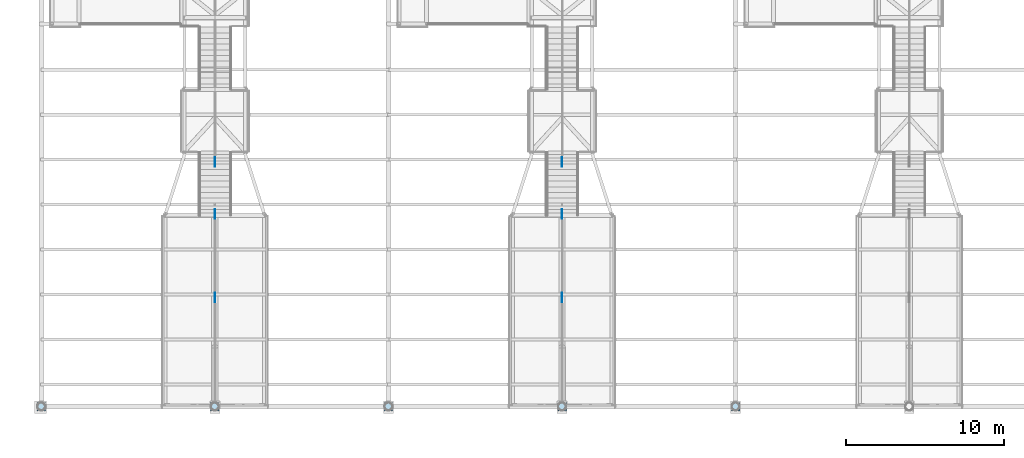
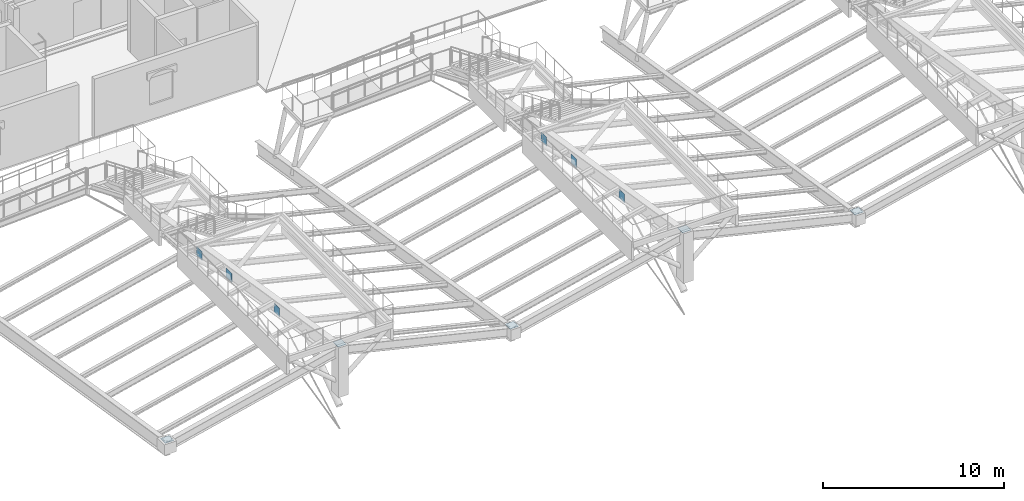
# One storey, part 17 of 43: 11 plates.
"""IFC4 building model written with IfcOpenShell, lengths in metres."""

from ifc_helpers import new_model, si_unit, direction, frame, origin, origin_2d, place, context, subcontext, project, spatial, rectangle, extrude, material, layer, layer_set, type_object, element, save


model = new_model("IFC4")

# Units and contexts
model_context = context("Model", 3, precision=1e-05, world=origin(), true_north=direction((0.0, 1.0)))
body_context = subcontext(model_context, "Body", "Model", "MODEL_VIEW")
ifc_project = project(units=[si_unit("LENGTHUNIT", "METRE"), si_unit("AREAUNIT", "SQUARE_METRE"), si_unit("VOLUMEUNIT", "CUBIC_METRE"), si_unit("PLANEANGLEUNIT", "RADIAN"), si_unit("MASSUNIT", "GRAM", prefix="KILO")], contexts=[model_context])

# Site, building, storey
site_placement = place(None, origin())
site = spatial("IfcSite", under=ifc_project, at=site_placement, CompositionType="ELEMENT")
building_placement = place(site_placement, origin())
building = spatial("IfcBuilding", under=site, at=building_placement, Name="Caurita Quay Ferry Terminal", CompositionType="ELEMENT")
storey_placement = place(building_placement, frame((0.0, 0.0, 14.10009765625)))
storey = spatial("IfcBuildingStorey", under=building, at=storey_placement, Name="L03", CompositionType="ELEMENT", Elevation=14.10009765625)

# Plates
ifc_material = material(Name="Structural plate steel ASTM A572 Gr. 50", Category="steel")
ifc_layer_1 = layer(ifc_material, 0.031982421875, Name="Structural steel connection plate 32 mm")
ifc_layer_set_1 = layer_set([ifc_layer_1], Name="Structural plate steel ASTM A572 Gr. 50")
plate_type_1 = type_object("IfcPlateType", Name="PLT-STL-32", PredefinedType="USERDEFINED", material=ifc_layer_set_1)
for number, where, z_axis, x_axis, name in (
    (1, (0.0, 34.60009765625, 0.65478515625), (0.0, 0.0, 1.0), (1.0, 0.0, 0.0), "Mast Top Cap Plate V1-01-S"),
    (2, (11.0, 34.60009765625, 3.294921875), (0.0, 0.0, 1.0), (1.0, 0.0, 0.0), "Mast Top Cap Plate V1-02-S"),
    (3, (22.0, 34.60009765625, 0.65478515625), (0.0, 0.0, 1.0), (1.0, 0.0, 0.0), "Mast Top Cap Plate V1-03-S"),
    (4, (33.0, 34.60009765625, 3.294921875), (0.0, 0.0, 1.0), (1.0, 0.0, 0.0), "Mast Top Cap Plate V1-04-S"),
    (5, (44.0, 34.60009765625, 0.65478515625), (0.0, 0.0, 1.0), (1.0, 0.0, 0.0), "Mast Top Cap Plate V1-05-S"),
):
    element("IfcPlate", number, at=place(storey_placement, frame(where, z_axis=z_axis, x_axis=x_axis)), inside=storey, type_object=plate_type_1, Name=name, ObjectType="GUSSET PLATE", PredefinedType="USERDEFINED", context=body_context, shape_type="SweptSolid", body=[
        extrude(rectangle(XDim=0.5400390625, YDim=0.5400390625, at=origin_2d()), origin(), (0.0, 0.0, 1.0), 0.031982421875),
    ])
ifc_layer_2 = layer(ifc_material, 0.0400390625, Name="Structural steel connection plate 40 mm")
ifc_layer_set_2 = layer_set([ifc_layer_2], Name="Structural plate steel ASTM A572 Gr. 50")
plate_type_2 = type_object("IfcPlateType", Name="PLT-STL-40", PredefinedType="USERDEFINED", material=ifc_layer_set_2)
for number, where, z_axis, x_axis, name in (
    (6, (11.0, 41.5, 1.0498046875), (0.0, 0.0, 1.0), (1.0, 0.0, 0.0), "Girder Stay-Cable Anchorage Gusset V1-02-S1"),
    (7, (11.0, 46.800048828125, 0.201904296875), (0.0, 0.0, 1.0), (1.0, 0.0, 0.0), "Girder Stay-Cable Anchorage Gusset V1-02-S2"),
    (8, (11.0, 50.10009765625, -0.326171875), (0.0, 0.0, 1.0), (1.0, 0.0, 0.0), "Girder Stay-Cable Anchorage Gusset V1-02-N2"),
    (9, (33.0, 41.5, 1.05615234375), (0.0, 0.0, 1.0), (1.0, 0.0, 0.0), "Girder Stay-Cable Anchorage Gusset V1-04-S1"),
    (10, (33.0, 46.800048828125, 0.208251953125), (0.0, 0.0, 1.0), (1.0, 0.0, 0.0), "Girder Stay-Cable Anchorage Gusset V1-04-S2"),
    (11, (33.0, 50.10009765625, -0.31982421875), (0.0, 0.0, 1.0), (1.0, 0.0, 0.0), "Girder Stay-Cable Anchorage Gusset V1-04-N2"),
):
    element("IfcPlate", number, at=place(storey_placement, frame(where, z_axis=z_axis, x_axis=x_axis)), inside=storey, type_object=plate_type_2, Name=name, ObjectType="GUSSET PLATE", PredefinedType="USERDEFINED", context=body_context, shape_type="SweptSolid", body=[
        extrude(rectangle(XDim=0.0400390625, YDim=0.60009765625, at=origin_2d()), origin(), (0.0, 0.0, 1.0), 0.60009765625),
    ])

save(model, "model.ifc")
